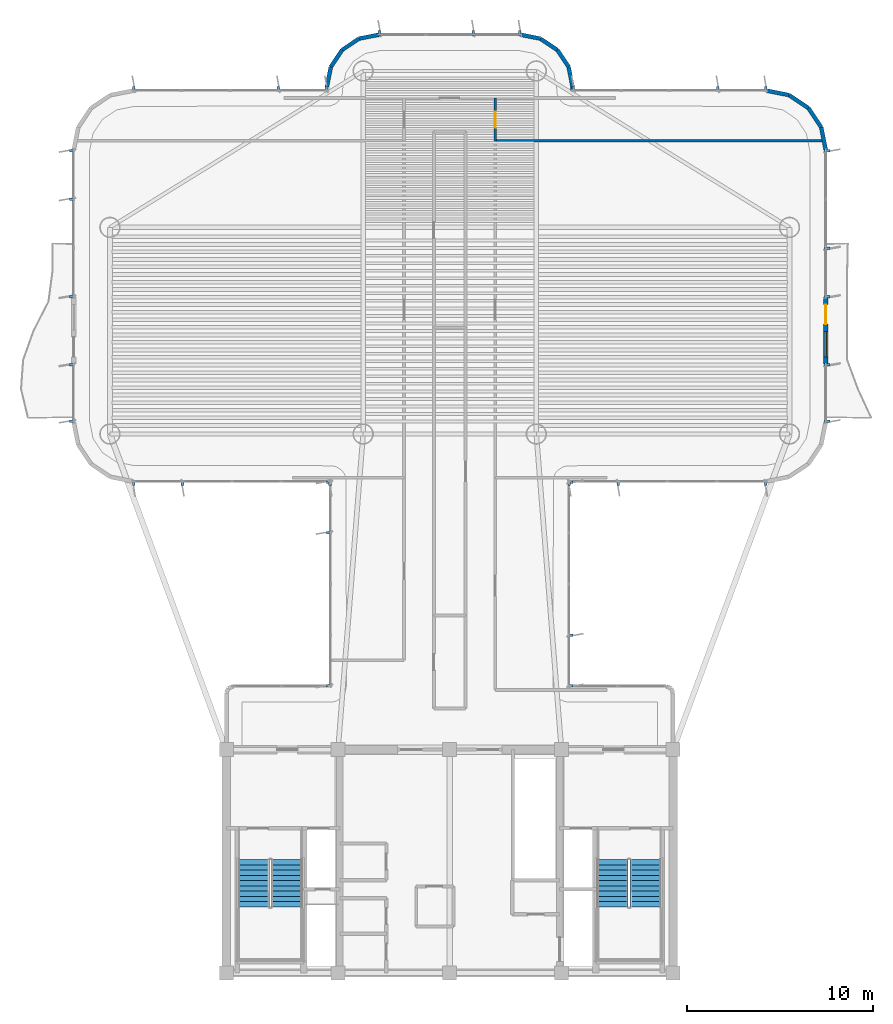
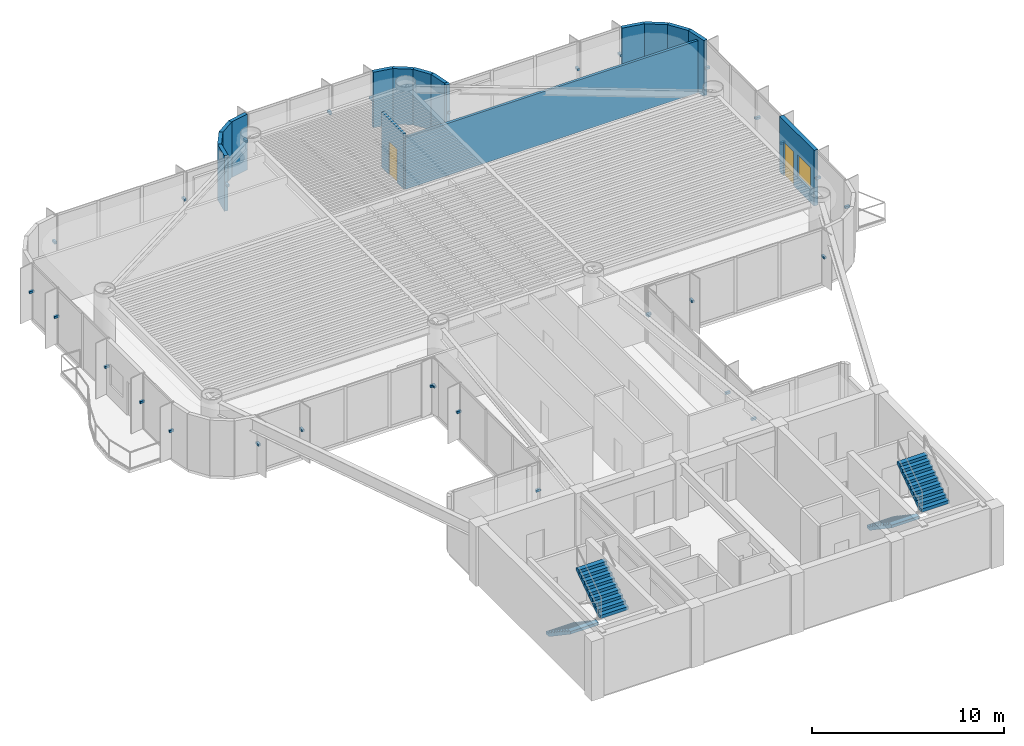
# One storey, part 11 of 13: 31 discrete accessories, 16 walls, 4 stair flights, 2 doors, 1 window, 3 openings, 2 elements without a shape of their own.
"""IFC4 building model written with IfcOpenShell, lengths in metres."""

from ifc_helpers import new_model, si_unit, direction, frame, frame_2d, origin, origin_2d, place, context, subcontext, project, spatial, polyline, rectangle, outline, extrude, source, transform, mapped, material, layer, layer_set, type_object, element, fill, aggregate, save


model = new_model("IFC4")

# Units and contexts
model_context = context("Model", 3, precision=1e-05, world=origin(), true_north=direction((0.0, 1.0)))
body_context = subcontext(model_context, "Body", "Model", "MODEL_VIEW")
ifc_project = project(units=[si_unit("LENGTHUNIT", "METRE"), si_unit("AREAUNIT", "SQUARE_METRE"), si_unit("VOLUMEUNIT", "CUBIC_METRE"), si_unit("PLANEANGLEUNIT", "RADIAN"), si_unit("MASSUNIT", "GRAM", prefix="KILO")], contexts=[model_context])

# Site, building, storey
site_placement = place(None, origin())
site = spatial("IfcSite", under=ifc_project, at=site_placement, CompositionType="ELEMENT")
building_placement = place(site_placement, origin())
building = spatial("IfcBuilding", under=site, at=building_placement, Name="Brelvock Crest Care Tower", CompositionType="ELEMENT")
storey_placement = place(building_placement, frame((0.0, 0.0, 190.43994140625)))
storey = spatial("IfcBuildingStorey", under=building, at=storey_placement, Name="L48", CompositionType="ELEMENT", Elevation=190.43994140625)

# Wall, openings, door, window
ifc_material_1 = material(Name="Precast concrete N40 (40 MPa)", Category="concrete")
ifc_layer_1 = layer(ifc_material_1, 0.239990234375, Name="WL-EX1")
ifc_layer_set_1 = layer_set([ifc_layer_1], Name="Precast concrete N40 (40 MPa)")
wall_type_1 = type_object("IfcWallType", Name="WL-EX1", PredefinedType="SOLIDWALL", material=ifc_layer_set_1)
wall_1_placement = place(storey_placement, frame((56.199951171875, 42.300048828125, 0.0), z_axis=(0.0, 0.0, 1.0), x_axis=(0.0, -1.0, 0.0)))
wall_1 = element("IfcWall", 1, at=wall_1_placement, inside=storey, type_object=wall_type_1, Name="L48 Exterior Spandrel Wall WL-BAL-L48-E", PredefinedType="SOLIDWALL", context=body_context, shape_type="SweptSolid", body=[
    extrude(rectangle(XDim=3.60009765625, YDim=0.239990234375, at=frame_2d((1.800048828125, 0.0))), origin(), (0.0, 0.0, 1.0), 3.530029296875),
])
opening_1_placement = place(wall_1_placement, frame((0.39990234375, 0.0, 0.0)))
opening_1 = element("IfcOpeningElement", 2, at=opening_1_placement, cuts=wall_1, Name="Opening BD-1", PredefinedType="OPENING", context=body_context, shape_type="SweptSolid", body=[
    extrude(rectangle(XDim=1.050048828125, YDim=2.14990234375, at=origin_2d()), frame((0.52490234375, 0.1298828125, 1.074951171875), z_axis=(0.0, -1.0, 0.0), x_axis=(1.0, 0.0, 0.0)), (0.0, 0.0, 1.0), 0.260009765625),
])
opening_2_placement = place(wall_1_placement, frame((1.85009765625, 0.0, 0.85009765625)))
opening_2 = element("IfcOpeningElement", 3, at=opening_2_placement, cuts=wall_1, Name="Opening W-01", PredefinedType="OPENING", context=body_context, shape_type="SweptSolid", body=[
    extrude(rectangle(XDim=1.35009765625, YDim=1.35009765625, at=origin_2d()), frame((0.675048828125, 0.1298828125, 0.675048828125), z_axis=(0.0, -1.0, 0.0), x_axis=(1.0, 0.0, 0.0)), (0.0, 0.0, 1.0), 0.260009765625),
])
ifc_material_2 = material(Name="Dark Glass Double Glazed Low-E", Category="glass")
door_type_1 = type_object("IfcDoorType", Name="DR-BAL1", OperationType="NOTDEFINED", PredefinedType="DOOR", material=ifc_material_2)
shared_shape_1 = source(origin(), body_context, "Body", "SweptSolid", [
    extrude(rectangle(XDim=1.050048828125, YDim=2.14990234375, at=origin_2d()), frame((0.52490234375, 0.02490234375, 1.074951171875), z_axis=(0.0, -1.0, 0.0), x_axis=(1.0, 0.0, 0.0)), (0.0, 0.0, 1.0), 0.050048828125),
])
door_1_placement = place(opening_1_placement, origin())
door_1 = element("IfcDoor", 4, at=door_1_placement, inside=storey, type_object=door_type_1, Name="L48 E Wave Balcony Glazed Door", OperationType="SINGLE_SWING_RIGHT", OverallHeight=2.14990234375, OverallWidth=1.050048828125, PredefinedType="DOOR", context=body_context, shape_type="MappedRepresentation", body=[
    mapped(shared_shape_1, transform((0.0, 0.0, 0.0), x_axis=(1.0, 0.0, 0.0), y_axis=(0.0, 1.0, 0.0), z_axis=(0.0, 0.0, 1.0), scale=1.0)),
])
fill(opening_1, door_1)
window_type = type_object("IfcWindowType", Name="WN-EX1", PartitioningType="SINGLE_PANEL", PredefinedType="WINDOW", material=ifc_material_2)
shared_shape_2 = source(origin(), body_context, "Body", "SweptSolid", [
    extrude(rectangle(XDim=1.35009765625, YDim=1.35009765625, at=origin_2d()), frame((0.675048828125, 0.030029296875, 0.675048828125), z_axis=(0.0, -1.0, 0.0), x_axis=(1.0, 0.0, 0.0)), (0.0, 0.0, 1.0), 0.06005859375),
])
window_placement = place(opening_2_placement, origin())
window = element("IfcWindow", 5, at=window_placement, inside=storey, type_object=window_type, Name="L48 E Suite Casement Window", OverallHeight=1.35009765625, OverallWidth=1.35009765625, PartitioningType="SINGLE_PANEL", PredefinedType="WINDOW", context=body_context, shape_type="MappedRepresentation", body=[
    mapped(shared_shape_2, transform((0.0, 0.0, 0.0), x_axis=(1.0, 0.0, 0.0), y_axis=(0.0, 1.0, 0.0), z_axis=(0.0, 0.0, 1.0), scale=1.0)),
])
fill(opening_2, window)

# Walls
ifc_layer_2 = layer(ifc_material_1, 0.215087890625, Name="WL-EX2")
ifc_layer_set_2 = layer_set([ifc_layer_2], Name="Precast concrete N40 (40 MPa)")
wall_type_2 = type_object("IfcWallType", Name="WL-EX2", PredefinedType="SOLIDWALL", material=ifc_layer_set_2)
wall_2_placement = place(storey_placement, frame((29.39990234375, 53.60009765625, 0.0), z_axis=(0.0, 0.0, 1.0), x_axis=(0.195127417394, 0.980777900945, 0.0)))
element("IfcWall", 6, at=wall_2_placement, inside=storey, type_object=wall_type_2, Name="L48 Rounded Corner Wall 24", PredefinedType="SOLIDWALL", context=body_context, shape_type="SweptSolid", body=[
    extrude(rectangle(XDim=1.09228515625, YDim=0.215087890625, at=frame_2d((0.546142578125, 0.0))), origin(), (0.0, 0.0, 1.0), 3.530029296875),
])
wall_3_placement = place(storey_placement, frame((29.613037109375, 54.67138671875, 0.0), z_axis=(0.0, 0.0, 1.0), x_axis=(0.555679482341, 0.831396603857, 0.0)))
element("IfcWall", 7, at=wall_3_placement, inside=storey, type_object=wall_type_2, Name="L48 Rounded Corner Wall 25", PredefinedType="SOLIDWALL", context=body_context, shape_type="SweptSolid", body=[
    extrude(rectangle(XDim=1.0927734375, YDim=0.215087890625, at=frame_2d((0.54638671875, 0.0))), origin(), (0.0, 0.0, 1.0), 3.530029296875),
])
for number, where, z_axis, x_axis, name in (
    (8, (30.22021484375, 55.579833984375, 0.0), (0.0, 0.0, 1.0), (0.831327592857, 0.555782721353, 0.0), "L48 Rounded Corner Wall 26"),
    (9, (31.12841796875, 56.18701171875, 0.0), (0.0, 0.0, 1.0), (0.980829143587, 0.194869677195, 0.0), "L48 Rounded Corner Wall 27"),
    (10, (39.800048828125, 56.39990234375, 0.0), (0.0, 0.0, 1.0), (0.980829143587, -0.194869677195, 0.0), "L48 Rounded Corner Wall 29"),
    (11, (40.87158203125, 56.18701171875, 0.0), (0.0, 0.0, 1.0), (0.831327592857, -0.555782721353, 0.0), "L48 Rounded Corner Wall 30"),
):
    element("IfcWall", number, at=place(storey_placement, frame(where, z_axis=z_axis, x_axis=x_axis)), inside=storey, type_object=wall_type_2, Name=name, PredefinedType="SOLIDWALL", context=body_context, shape_type="SweptSolid", body=[
        extrude(rectangle(XDim=1.092529296875, YDim=0.215087890625, at=frame_2d((0.54638671875, 0.0))), origin(), (0.0, 0.0, 1.0), 3.530029296875),
    ])
wall_4_placement = place(storey_placement, frame((41.77978515625, 55.579833984375, 0.0), z_axis=(0.0, 0.0, 1.0), x_axis=(0.555679482341, -0.831396603857, 0.0)))
element("IfcWall", 12, at=wall_4_placement, inside=storey, type_object=wall_type_2, Name="L48 Rounded Corner Wall 31", PredefinedType="SOLIDWALL", context=body_context, shape_type="SweptSolid", body=[
    extrude(rectangle(XDim=1.0927734375, YDim=0.215087890625, at=frame_2d((0.54638671875, 0.0))), origin(), (0.0, 0.0, 1.0), 3.530029296875),
])
wall_5_placement = place(storey_placement, frame((42.386962890625, 54.67138671875, 0.0), z_axis=(0.0, 0.0, 1.0), x_axis=(0.195127417394, -0.980777900945, 0.0)))
element("IfcWall", 13, at=wall_5_placement, inside=storey, type_object=wall_type_2, Name="L48 Rounded Corner Wall 32", PredefinedType="SOLIDWALL", context=body_context, shape_type="SweptSolid", body=[
    extrude(rectangle(XDim=1.09228515625, YDim=0.215087890625, at=frame_2d((0.546142578125, 0.0))), origin(), (0.0, 0.0, 1.0), 3.530029296875),
])
wall_6_placement = place(storey_placement, frame((42.60009765625, 53.60009765625, 0.0), z_axis=(0.0, 0.0, 1.0), x_axis=(0.0, -1.0, 0.0)))
element("IfcWall", 14, at=wall_6_placement, inside=storey, type_object=wall_type_2, Name="L48 Rounded Corner Wall 33", PredefinedType="SOLIDWALL", context=body_context, shape_type="SweptSolid", body=[
    extrude(rectangle(XDim=0.2001953125, YDim=0.215087890625, at=frame_2d((0.10009765625, 0.0))), origin(), (0.0, 0.0, 1.0), 3.530029296875),
])
for number, where, z_axis, x_axis, name in (
    (15, (53.0, 53.39990234375, 0.0), (0.0, 0.0, 1.0), (0.980813122964, -0.194950295773, 0.0), "L48 Rounded Corner Wall 35"),
    (16, (54.224609375, 53.156494140625, 0.0), (0.0, 0.0, 1.0), (0.831387912822, -0.555692485475, 0.0), "L48 Rounded Corner Wall 36"),
    (17, (55.2626953125, 52.462646484375, 0.0), (0.0, 0.0, 1.0), (0.555557312883, -0.831478245117, 0.0), "L48 Rounded Corner Wall 37"),
    (18, (55.956298828125, 51.424560546875, 0.0), (0.0, 0.0, 1.0), (0.195138390419, -0.980775717779, 0.0), "L48 Rounded Corner Wall 38"),
):
    element("IfcWall", number, at=place(storey_placement, frame(where, z_axis=z_axis, x_axis=x_axis)), inside=storey, type_object=wall_type_2, Name=name, PredefinedType="SOLIDWALL", context=body_context, shape_type="SweptSolid", body=[
        extrude(rectangle(XDim=1.24853515625, YDim=0.215087890625, at=frame_2d((0.624267578125, 0.0))), origin(), (0.0, 0.0, 1.0), 3.530029296875),
    ])
ifc_material_3 = material(Name="Masonry Blockwork Acoustic Partition", Category="masonry")
ifc_layer_3 = layer(ifc_material_3, 0.14990234375, Name="WL-INT1")
ifc_layer_set_3 = layer_set([ifc_layer_3], Name="Masonry Blockwork Acoustic Partition")
wall_type_3 = type_object("IfcWallType", Name="WL-INT1", PredefinedType="PARTITIONING", material=ifc_layer_set_3)
wall_7_placement = place(storey_placement, frame((38.449951171875, 50.699951171875, 0.0), z_axis=(0.0, 0.0, 1.0), x_axis=(1.0, 0.0, 0.0)))
element("IfcWall", 19, at=wall_7_placement, inside=storey, type_object=wall_type_3, Name="L48 Interior Wall WL-BX-L48-ECLB-N", PredefinedType="PARTITIONING", context=body_context, shape_type="SweptSolid", body=[
    extrude(rectangle(XDim=17.569091796875, YDim=0.14990234375, at=frame_2d((8.78466796875, 0.0))), origin(), (0.0, 0.0, 1.0), 3.30810546875),
])

# Wall, opening, door
wall_8_placement = place(storey_placement, frame((38.449951171875, 50.699951171875, 0.0), z_axis=(0.0, 0.0, 1.0), x_axis=(0.0, 1.0, 0.0)))
wall_8 = element("IfcWall", 20, at=wall_8_placement, inside=storey, type_object=wall_type_3, Name="L48 Interior Wall WL-RM-L48-NALE", PredefinedType="PARTITIONING", context=body_context, shape_type="SweptSolid", body=[
    extrude(rectangle(XDim=2.300048828125, YDim=0.14990234375, at=frame_2d((1.14990234375, 0.0))), origin(), (0.0, 0.0, 1.0), 3.5),
])
opening_3_placement = place(wall_8_placement, frame((0.68994140625, 0.0, 0.0)))
opening_3 = element("IfcOpeningElement", 21, at=opening_3_placement, cuts=wall_8, Name="Opening ID-1", PredefinedType="OPENING", context=body_context, shape_type="SweptSolid", body=[
    extrude(rectangle(XDim=0.860107421875, YDim=2.10009765625, at=origin_2d()), frame((0.43017578125, 0.0849609375, 1.050048828125), z_axis=(0.0, -1.0, 0.0), x_axis=(1.0, 0.0, 0.0)), (0.0, 0.0, 1.0), 0.169921875),
])
ifc_material_4 = material(Name="Engineered Hardwood Timber", Category="wood")
door_type_2 = type_object("IfcDoorType", Name="DR-INT1", OperationType="NOTDEFINED", PredefinedType="DOOR", material=ifc_material_4)
shared_shape_3 = source(origin(), body_context, "Body", "SweptSolid", [
    extrude(rectangle(XDim=0.860107421875, YDim=2.10009765625, at=origin_2d()), frame((0.43017578125, 0.02490234375, 1.050048828125), z_axis=(0.0, -1.0, 0.0), x_axis=(1.0, 0.0, 0.0)), (0.0, 0.0, 1.0), 0.050048828125),
])
door_2_placement = place(opening_3_placement, origin())
door_2 = element("IfcDoor", 22, at=door_2_placement, inside=storey, type_object=door_type_2, Name="L48 North East Tea Alcove Door NALE", OperationType="SINGLE_SWING_LEFT", OverallHeight=2.10009765625, OverallWidth=0.860107421875, PredefinedType="DOOR", context=body_context, shape_type="MappedRepresentation", body=[
    mapped(shared_shape_3, transform((0.0, 0.0, 0.0), x_axis=(1.0, 0.0, 0.0), y_axis=(0.0, 1.0, 0.0), z_axis=(0.0, 0.0, 1.0), scale=1.0)),
])
fill(opening_3, door_2)

# Stair, stair flights
ifc_material_5 = material(Name="Concrete N40 (40 MPa)", Category="concrete")
stair_type = type_object("IfcStairType", Name="ST-CORE1", PredefinedType="HALF_TURN_STAIR", material=ifc_material_5)
stair_1_placement = place(storey_placement, origin())
stair_1 = element("IfcStair", 23, at=stair_1_placement, inside=storey, type_object=stair_type, Name="L48 Fire-Isolated Core Stair ST-1", PredefinedType="HALF_TURN_STAIR")
stair_flight_type = type_object("IfcStairFlightType", Name="STF-1", PredefinedType="STRAIGHT", material=ifc_material_5)
stair_flight_1_placement = place(storey_placement, frame((25.469970703125, 12.080078125, 0.0), z_axis=(0.0, 0.0, 1.0), x_axis=(0.0, -1.0, 0.0)))
stair_flight_1 = element("IfcStairFlight", 24, at=stair_flight_1_placement, type_object=stair_flight_type, Name="ST-1 flight 1", NumberOfRisers=10, NumberOfTreads=9, PredefinedType="STRAIGHT", RiserHeight=0.189, TreadLength=0.28, context=body_context, shape_type="SweptSolid", body=[
    extrude(outline(polyline([(-0.00390625, -0.014892578125), (-0.00390625, -0.0078125), (-0.00390625, -0.00048828125), (-0.00390625, 0.0068359375), (-0.00390625, 0.01416015625), (-0.00390625, 0.021484375), (-0.00390625, 0.02880859375), (-0.00390625, 0.035888671875), (-0.00390625, 0.043212890625), (-0.00390625, 0.050537109375), (-0.00390625, 0.057861328125), (-0.00390625, 0.065185546875), (-0.00390625, 0.072509765625), (-0.00390625, 0.07958984375), (-0.00390625, 0.0869140625), (-0.00390625, 0.09423828125), (-0.00390625, 0.1015625), (-0.00390625, 0.10888671875), (-0.00390625, 0.1162109375), (-0.00390625, 0.12353515625), (-0.00390625, 0.130615234375), (-0.00390625, 0.137939453125), (-0.00390625, 0.145263671875), (-0.00390625, 0.152587890625), (-0.00390625, 0.159912109375), (-0.00390625, 0.167236328125), (-0.00390625, 0.17431640625), (-0.00390625, 0.181640625), (-0.00390625, 0.18896484375), (0.0, 0.18896484375), (0.280029296875, 0.18896484375), (0.280029296875, 0.3779296875), (0.56005859375, 0.3779296875), (0.56005859375, 0.56689453125), (0.840087890625, 0.56689453125), (0.840087890625, 0.756103515625), (1.1201171875, 0.756103515625), (1.1201171875, 0.945068359375), (1.39990234375, 0.945068359375), (1.39990234375, 1.134033203125), (1.679931640625, 1.134033203125), (1.679931640625, 1.322998046875), (1.9599609375, 1.322998046875), (1.9599609375, 1.511962890625), (2.239990234375, 1.511962890625), (2.239990234375, 1.700927734375), (2.52001953125, 1.700927734375), (2.52392578125, 1.700927734375), (2.523681640625, 1.70068359375), (2.52392578125, 1.700439453125), (2.523681640625, 1.699951171875), (2.52392578125, 1.69970703125), (2.523681640625, 1.699462890625), (2.52392578125, 1.698974609375), (2.523681640625, 1.69873046875), (2.52392578125, 1.698486328125), (2.523681640625, 1.697998046875), (2.52392578125, 1.69775390625), (2.523681640625, 1.697509765625), (2.52392578125, 1.697021484375), (2.523681640625, 1.69677734375), (2.52392578125, 1.696533203125), (2.523681640625, 1.6962890625), (2.52392578125, 1.69580078125), (2.523681640625, 1.695556640625), (2.52392578125, 1.6953125), (2.523681640625, 1.69482421875), (2.52392578125, 1.694580078125), (2.523681640625, 1.6943359375), (2.52392578125, 1.69384765625), (2.523681640625, 1.693603515625), (2.52392578125, 1.693359375), (2.523681640625, 1.69287109375), (2.52392578125, 1.692626953125), (2.523681640625, 1.6923828125), (2.52392578125, 1.69189453125), (2.52001953125, 1.520263671875), (0.267822265625, 0.0), (0.0, 0.0), (0.0, -0.014892578125), (-0.00390625, -0.014892578125)])), frame((0.0, 0.83984375, 0.0), z_axis=(0.0, -1.0, 0.0), x_axis=(1.0, 0.0, 0.0)), (0.0, 0.0, 1.0), 1.679931640625),
])
stair_flight_2_placement = place(storey_placement, frame((27.27001953125, 9.56005859375, 1.89013671875), z_axis=(0.0, 0.0, 1.0), x_axis=(0.0, 1.0, 0.0)))
stair_flight_2 = element("IfcStairFlight", 25, at=stair_flight_2_placement, type_object=stair_flight_type, Name="ST-1 flight 2", NumberOfRisers=10, NumberOfTreads=9, PredefinedType="STRAIGHT", RiserHeight=0.189, TreadLength=0.28, context=body_context, shape_type="SweptSolid", body=[
    extrude(outline(polyline([(-0.00390625, -0.014892578125), (-0.00390625, -0.0078125), (-0.00390625, -0.00048828125), (-0.00390625, 0.0068359375), (-0.00390625, 0.01416015625), (-0.00390625, 0.021484375), (-0.00390625, 0.02880859375), (-0.00390625, 0.035888671875), (-0.00390625, 0.043212890625), (-0.00390625, 0.050537109375), (-0.00390625, 0.057861328125), (-0.00390625, 0.065185546875), (-0.00390625, 0.072509765625), (-0.00390625, 0.07958984375), (-0.00390625, 0.0869140625), (-0.00390625, 0.09423828125), (-0.00390625, 0.1015625), (-0.00390625, 0.10888671875), (-0.00390625, 0.1162109375), (-0.00390625, 0.12353515625), (-0.00390625, 0.130615234375), (-0.00390625, 0.137939453125), (-0.00390625, 0.145263671875), (-0.00390625, 0.152587890625), (-0.00390625, 0.159912109375), (-0.00390625, 0.167236328125), (-0.00390625, 0.17431640625), (-0.00390625, 0.181640625), (-0.00390625, 0.18896484375), (0.0, 0.18896484375), (0.280029296875, 0.18896484375), (0.280029296875, 0.3779296875), (0.56005859375, 0.3779296875), (0.56005859375, 0.56689453125), (0.840087890625, 0.56689453125), (0.840087890625, 0.756103515625), (1.1201171875, 0.756103515625), (1.1201171875, 0.945068359375), (1.39990234375, 0.945068359375), (1.39990234375, 1.134033203125), (1.679931640625, 1.134033203125), (1.679931640625, 1.322998046875), (1.9599609375, 1.322998046875), (1.9599609375, 1.511962890625), (2.239990234375, 1.511962890625), (2.239990234375, 1.700927734375), (2.52001953125, 1.700927734375), (2.52392578125, 1.700927734375), (2.523681640625, 1.70068359375), (2.52392578125, 1.700439453125), (2.523681640625, 1.699951171875), (2.52392578125, 1.69970703125), (2.523681640625, 1.699462890625), (2.52392578125, 1.698974609375), (2.523681640625, 1.69873046875), (2.52392578125, 1.698486328125), (2.523681640625, 1.697998046875), (2.52392578125, 1.69775390625), (2.523681640625, 1.697509765625), (2.52392578125, 1.697021484375), (2.523681640625, 1.69677734375), (2.52392578125, 1.696533203125), (2.523681640625, 1.6962890625), (2.52392578125, 1.69580078125), (2.523681640625, 1.695556640625), (2.52392578125, 1.6953125), (2.523681640625, 1.69482421875), (2.52392578125, 1.694580078125), (2.523681640625, 1.6943359375), (2.52392578125, 1.69384765625), (2.523681640625, 1.693603515625), (2.52392578125, 1.693359375), (2.523681640625, 1.69287109375), (2.52392578125, 1.692626953125), (2.523681640625, 1.6923828125), (2.52392578125, 1.69189453125), (2.52001953125, 1.520263671875), (0.267822265625, 0.0), (0.0, 0.0), (0.0, -0.014892578125), (-0.00390625, -0.014892578125)])), frame((0.0, 0.83984375, 0.0), z_axis=(0.0, -1.0, 0.0), x_axis=(1.0, 0.0, 0.0)), (0.0, 0.0, 1.0), 1.679931640625),
])
aggregate(stair_1, [stair_flight_1, stair_flight_2])

stair_2_placement = place(storey_placement, origin())
stair_2 = element("IfcStair", 26, at=stair_2_placement, inside=storey, type_object=stair_type, Name="L48 Fire-Isolated Core Stair ST-2", PredefinedType="HALF_TURN_STAIR")
stair_flight_3_placement = place(storey_placement, frame((44.72998046875, 12.080078125, 0.0), z_axis=(0.0, 0.0, 1.0), x_axis=(0.0, -1.0, 0.0)))
stair_flight_3 = element("IfcStairFlight", 27, at=stair_flight_3_placement, type_object=stair_flight_type, Name="ST-2 flight 1", NumberOfRisers=10, NumberOfTreads=9, PredefinedType="STRAIGHT", RiserHeight=0.189, TreadLength=0.28, context=body_context, shape_type="SweptSolid", body=[
    extrude(outline(polyline([(-0.00390625, -0.014892578125), (-0.00390625, -0.0078125), (-0.00390625, -0.00048828125), (-0.00390625, 0.0068359375), (-0.00390625, 0.01416015625), (-0.00390625, 0.021484375), (-0.00390625, 0.02880859375), (-0.00390625, 0.035888671875), (-0.00390625, 0.043212890625), (-0.00390625, 0.050537109375), (-0.00390625, 0.057861328125), (-0.00390625, 0.065185546875), (-0.00390625, 0.072509765625), (-0.00390625, 0.07958984375), (-0.00390625, 0.0869140625), (-0.00390625, 0.09423828125), (-0.00390625, 0.1015625), (-0.00390625, 0.10888671875), (-0.00390625, 0.1162109375), (-0.00390625, 0.12353515625), (-0.00390625, 0.130615234375), (-0.00390625, 0.137939453125), (-0.00390625, 0.145263671875), (-0.00390625, 0.152587890625), (-0.00390625, 0.159912109375), (-0.00390625, 0.167236328125), (-0.00390625, 0.17431640625), (-0.00390625, 0.181640625), (-0.00390625, 0.18896484375), (0.0, 0.18896484375), (0.280029296875, 0.18896484375), (0.280029296875, 0.3779296875), (0.56005859375, 0.3779296875), (0.56005859375, 0.56689453125), (0.840087890625, 0.56689453125), (0.840087890625, 0.756103515625), (1.1201171875, 0.756103515625), (1.1201171875, 0.945068359375), (1.39990234375, 0.945068359375), (1.39990234375, 1.134033203125), (1.679931640625, 1.134033203125), (1.679931640625, 1.322998046875), (1.9599609375, 1.322998046875), (1.9599609375, 1.511962890625), (2.239990234375, 1.511962890625), (2.239990234375, 1.700927734375), (2.52001953125, 1.700927734375), (2.52392578125, 1.700927734375), (2.523681640625, 1.70068359375), (2.52392578125, 1.700439453125), (2.523681640625, 1.699951171875), (2.52392578125, 1.69970703125), (2.523681640625, 1.699462890625), (2.52392578125, 1.698974609375), (2.523681640625, 1.69873046875), (2.52392578125, 1.698486328125), (2.523681640625, 1.697998046875), (2.52392578125, 1.69775390625), (2.523681640625, 1.697509765625), (2.52392578125, 1.697021484375), (2.523681640625, 1.69677734375), (2.52392578125, 1.696533203125), (2.523681640625, 1.6962890625), (2.52392578125, 1.69580078125), (2.523681640625, 1.695556640625), (2.52392578125, 1.6953125), (2.523681640625, 1.69482421875), (2.52392578125, 1.694580078125), (2.523681640625, 1.6943359375), (2.52392578125, 1.69384765625), (2.523681640625, 1.693603515625), (2.52392578125, 1.693359375), (2.523681640625, 1.69287109375), (2.52392578125, 1.692626953125), (2.523681640625, 1.6923828125), (2.52392578125, 1.69189453125), (2.52001953125, 1.520263671875), (0.267822265625, 0.0), (0.0, 0.0), (0.0, -0.014892578125), (-0.00390625, -0.014892578125)])), frame((0.0, 0.83984375, 0.0), z_axis=(0.0, -1.0, 0.0), x_axis=(1.0, 0.0, 0.0)), (0.0, 0.0, 1.0), 1.679931640625),
])
stair_flight_4_placement = place(storey_placement, frame((46.530029296875, 9.56005859375, 1.89013671875), z_axis=(0.0, 0.0, 1.0), x_axis=(0.0, 1.0, 0.0)))
stair_flight_4 = element("IfcStairFlight", 28, at=stair_flight_4_placement, type_object=stair_flight_type, Name="ST-2 flight 2", NumberOfRisers=10, NumberOfTreads=9, PredefinedType="STRAIGHT", RiserHeight=0.189, TreadLength=0.28, context=body_context, shape_type="SweptSolid", body=[
    extrude(outline(polyline([(-0.00390625, -0.014892578125), (-0.00390625, -0.0078125), (-0.00390625, -0.00048828125), (-0.00390625, 0.0068359375), (-0.00390625, 0.01416015625), (-0.00390625, 0.021484375), (-0.00390625, 0.02880859375), (-0.00390625, 0.035888671875), (-0.00390625, 0.043212890625), (-0.00390625, 0.050537109375), (-0.00390625, 0.057861328125), (-0.00390625, 0.065185546875), (-0.00390625, 0.072509765625), (-0.00390625, 0.07958984375), (-0.00390625, 0.0869140625), (-0.00390625, 0.09423828125), (-0.00390625, 0.1015625), (-0.00390625, 0.10888671875), (-0.00390625, 0.1162109375), (-0.00390625, 0.12353515625), (-0.00390625, 0.130615234375), (-0.00390625, 0.137939453125), (-0.00390625, 0.145263671875), (-0.00390625, 0.152587890625), (-0.00390625, 0.159912109375), (-0.00390625, 0.167236328125), (-0.00390625, 0.17431640625), (-0.00390625, 0.181640625), (-0.00390625, 0.18896484375), (0.0, 0.18896484375), (0.280029296875, 0.18896484375), (0.280029296875, 0.3779296875), (0.56005859375, 0.3779296875), (0.56005859375, 0.56689453125), (0.840087890625, 0.56689453125), (0.840087890625, 0.756103515625), (1.1201171875, 0.756103515625), (1.1201171875, 0.945068359375), (1.39990234375, 0.945068359375), (1.39990234375, 1.134033203125), (1.679931640625, 1.134033203125), (1.679931640625, 1.322998046875), (1.9599609375, 1.322998046875), (1.9599609375, 1.511962890625), (2.239990234375, 1.511962890625), (2.239990234375, 1.700927734375), (2.52001953125, 1.700927734375), (2.52392578125, 1.700927734375), (2.523681640625, 1.70068359375), (2.52392578125, 1.700439453125), (2.523681640625, 1.699951171875), (2.52392578125, 1.69970703125), (2.523681640625, 1.699462890625), (2.52392578125, 1.698974609375), (2.523681640625, 1.69873046875), (2.52392578125, 1.698486328125), (2.523681640625, 1.697998046875), (2.52392578125, 1.69775390625), (2.523681640625, 1.697509765625), (2.52392578125, 1.697021484375), (2.523681640625, 1.69677734375), (2.52392578125, 1.696533203125), (2.523681640625, 1.6962890625), (2.52392578125, 1.69580078125), (2.523681640625, 1.695556640625), (2.52392578125, 1.6953125), (2.523681640625, 1.69482421875), (2.52392578125, 1.694580078125), (2.523681640625, 1.6943359375), (2.52392578125, 1.69384765625), (2.523681640625, 1.693603515625), (2.52392578125, 1.693359375), (2.523681640625, 1.69287109375), (2.52392578125, 1.692626953125), (2.523681640625, 1.6923828125), (2.52392578125, 1.69189453125), (2.52001953125, 1.520263671875), (0.267822265625, 0.0), (0.0, 0.0), (0.0, -0.014892578125), (-0.00390625, -0.014892578125)])), frame((0.0, 0.83984375, 0.0), z_axis=(0.0, -1.0, 0.0), x_axis=(1.0, 0.0, 0.0)), (0.0, 0.0, 1.0), 1.679931640625),
])
aggregate(stair_2, [stair_flight_3, stair_flight_4])

# Discrete accessories
ifc_material_6 = material(Name="Steel Grade 350", Category="steel")
discrete_accessory_type = type_object("IfcDiscreteAccessoryType", Name="ACC-BRK1", PredefinedType="BRACKET", material=ifc_material_6)
shared_shape_4 = source(origin(), body_context, "Body", "SweptSolid", [
    extrude(rectangle(XDim=0.280029296875, YDim=0.139892578125, at=origin_2d()), origin(), (0.0, 0.0, 1.0), 0.139892578125),
])
for number, where, z_axis, x_axis, name in (
    (29, (29.52001953125, 21.429931640625, 1.6953125), (0.0, 0.0, 1.0), (-1.0, 0.0, 0.0), "L48 Facade Fin Bracket E11-01"),
    (30, (29.52001953125, 29.64990234375, 1.6953125), (0.0, 0.0, 1.0), (-1.0, 0.0, 0.0), "L48 Facade Fin Bracket E11-04"),
    (31, (29.52001953125, 32.3701171875, 1.6953125), (0.0, 0.0, 1.0), (-1.0, 0.0, 0.0), "L48 Facade Fin Bracket E11-05"),
    (32, (29.570068359375, 32.320068359375, 1.6953125), (0.0, 0.0, 1.0), (0.0, -1.0, 0.0), "L48 Facade Fin Bracket E12-01"),
    (33, (21.64990234375, 32.320068359375, 1.6953125), (0.0, 0.0, 1.0), (0.0, -1.0, 0.0), "L48 Facade Fin Bracket E12-04"),
    (34, (19.030029296875, 32.320068359375, 1.6953125), (0.0, 0.0, 1.0), (0.0, -1.0, 0.0), "L48 Facade Fin Bracket E12-05"),
    (35, (15.719970703125, 35.6298828125, 1.6953125), (0.0, 0.0, 1.0), (-1.0, 0.0, 0.0), "L48 Facade Fin Bracket E17A-01"),
    (36, (15.719970703125, 38.669921875, 1.6953125), (0.0, 0.0, 1.0), (-1.0, 0.0, 0.0), "L48 Facade Fin Bracket E17A-02"),
    (37, (15.719970703125, 42.330078125, 1.6953125), (0.0, 0.0, 1.0), (-1.0, 0.0, 0.0), "L48 Facade Fin Bracket E17B-01"),
    (38, (15.719970703125, 47.566650390625, 1.6953125), (0.0, 0.0, 1.0), (-1.0, 0.0, 0.0), "L48 Facade Fin Bracket E17B-03"),
    (39, (15.719970703125, 50.169921875, 1.6953125), (0.0, 0.0, 1.0), (-1.0, 0.0, 0.0), "L48 Facade Fin Bracket E17B-04"),
    (40, (19.030029296875, 53.47998046875, 1.6953125), (0.0, 0.0, 1.0), (0.0, 1.0, 0.0), "L48 Facade Fin Bracket E22-01"),
    (41, (26.800048828125, 53.47998046875, 1.6953125), (0.0, 0.0, 1.0), (0.0, 1.0, 0.0), "L48 Facade Fin Bracket E22-04"),
    (42, (29.3701171875, 53.47998046875, 1.6953125), (0.0, 0.0, 1.0), (0.0, 1.0, 0.0), "L48 Facade Fin Bracket E22-05"),
    (43, (32.22998046875, 56.47998046875, 1.6953125), (0.0, 0.0, 1.0), (0.0, 1.0, 0.0), "L48 Facade Fin Bracket E28-01"),
    (44, (37.2666015625, 56.47998046875, 1.6953125), (0.0, 0.0, 1.0), (0.0, 1.0, 0.0), "L48 Facade Fin Bracket E28-03"),
    (45, (39.77001953125, 56.47998046875, 1.6953125), (0.0, 0.0, 1.0), (0.0, 1.0, 0.0), "L48 Facade Fin Bracket E28-04"),
    (46, (42.6298828125, 53.47998046875, 1.6953125), (0.0, 0.0, 1.0), (0.0, 1.0, 0.0), "L48 Facade Fin Bracket E34-01"),
    (47, (50.39990234375, 53.47998046875, 1.6953125), (0.0, 0.0, 1.0), (0.0, 1.0, 0.0), "L48 Facade Fin Bracket E34-04"),
    (48, (52.969970703125, 53.47998046875, 1.6953125), (0.0, 0.0, 1.0), (0.0, 1.0, 0.0), "L48 Facade Fin Bracket E34-05"),
    (49, (56.280029296875, 50.169921875, 1.6953125), (0.0, 0.0, 1.0), (1.0, 0.0, 0.0), "L48 Facade Fin Bracket E39A-01"),
    (50, (56.280029296875, 44.933349609375, 1.6953125), (0.0, 0.0, 1.0), (1.0, 0.0, 0.0), "L48 Facade Fin Bracket E39A-03"),
    (51, (56.280029296875, 42.330078125, 1.6953125), (0.0, 0.0, 1.0), (1.0, 0.0, 0.0), "L48 Facade Fin Bracket E39A-04"),
    (52, (56.280029296875, 38.669921875, 1.6953125), (0.0, 0.0, 1.0), (1.0, 0.0, 0.0), "L48 Facade Fin Bracket E39B-01"),
    (53, (56.280029296875, 35.6298828125, 1.6953125), (0.0, 0.0, 1.0), (1.0, 0.0, 0.0), "L48 Facade Fin Bracket E39B-02"),
    (54, (52.969970703125, 32.320068359375, 1.6953125), (0.0, 0.0, 1.0), (0.0, -1.0, 0.0), "L48 Facade Fin Bracket E44-01"),
    (55, (45.050048828125, 32.320068359375, 1.6953125), (0.0, 0.0, 1.0), (0.0, -1.0, 0.0), "L48 Facade Fin Bracket E44-04"),
    (56, (42.429931640625, 32.320068359375, 1.6953125), (0.0, 0.0, 1.0), (0.0, -1.0, 0.0), "L48 Facade Fin Bracket E44-05"),
    (57, (42.47998046875, 32.3701171875, 1.6953125), (0.0, 0.0, 1.0), (1.0, 0.0, 0.0), "L48 Facade Fin Bracket E45-01"),
    (58, (42.47998046875, 24.14990234375, 1.6953125), (0.0, 0.0, 1.0), (1.0, 0.0, 0.0), "L48 Facade Fin Bracket E45-04"),
    (59, (42.47998046875, 21.429931640625, 1.6953125), (0.0, 0.0, 1.0), (1.0, 0.0, 0.0), "L48 Facade Fin Bracket E45-05"),
):
    element("IfcDiscreteAccessory", number, at=place(storey_placement, frame(where, z_axis=z_axis, x_axis=x_axis)), inside=storey, type_object=discrete_accessory_type, Name=name, PredefinedType="BRACKET", context=body_context, shape_type="MappedRepresentation", body=[
        mapped(shared_shape_4, transform((0.0, 0.0, 0.0), x_axis=(1.0, 0.0, 0.0), y_axis=(0.0, 1.0, 0.0), z_axis=(0.0, 0.0, 1.0), scale=1.0)),
    ])

save(model, "model.ifc")
